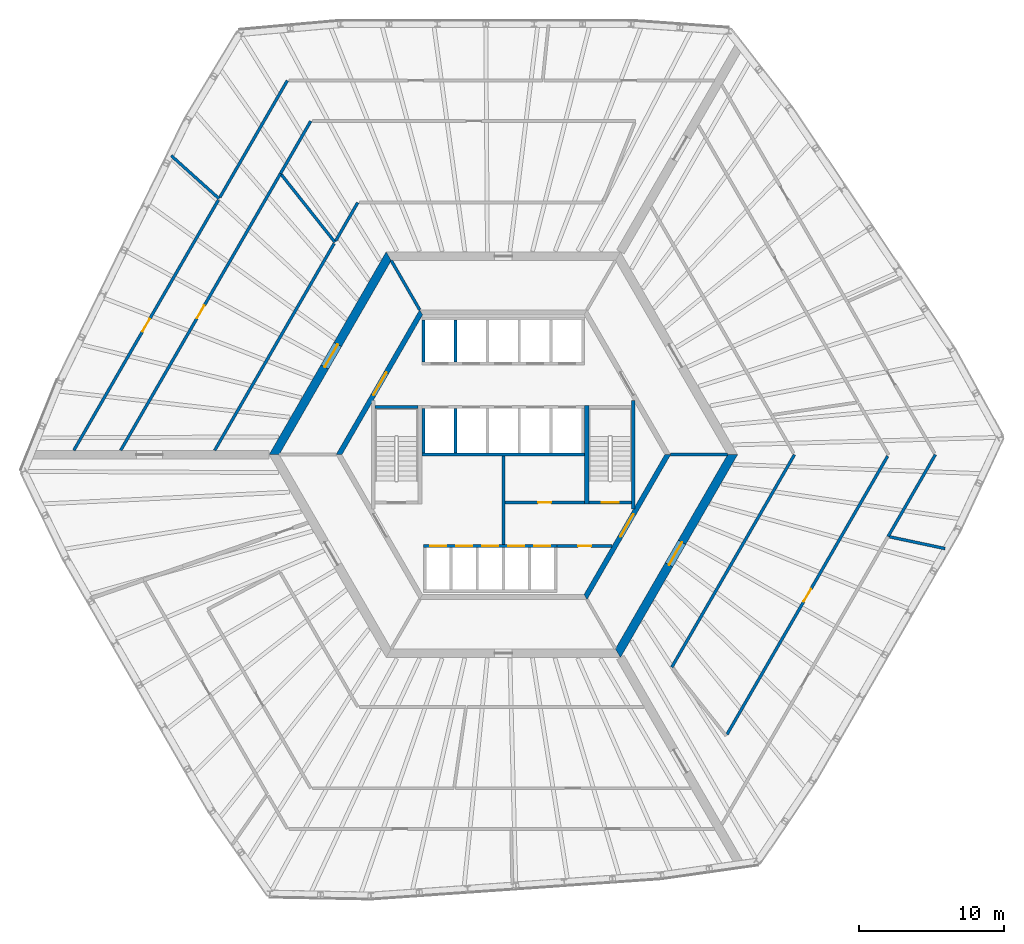
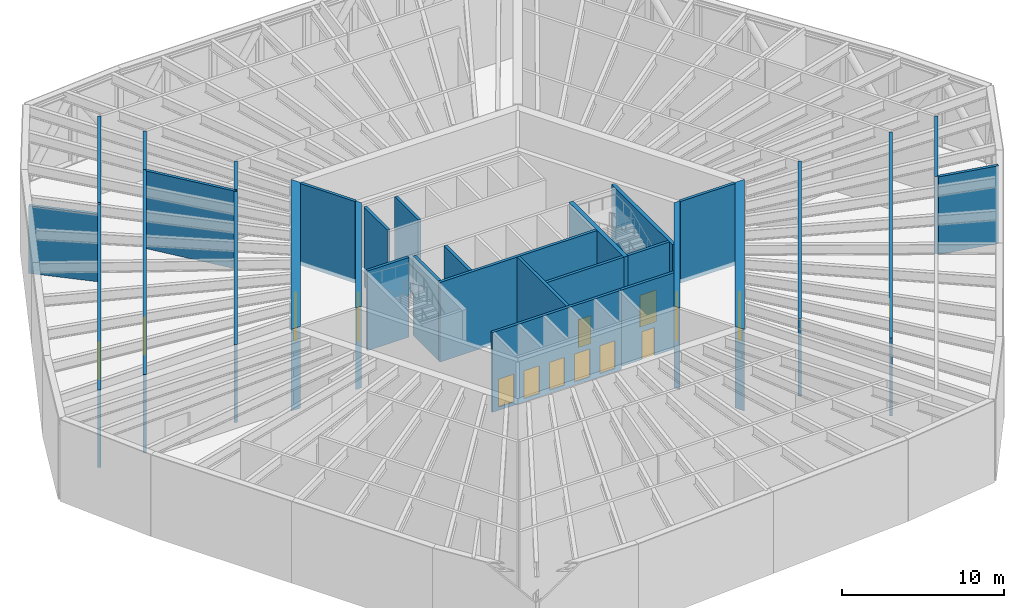
# One storey, part 7 of 11: 31 walls, 15 doors, 15 openings.
"""IFC4 building model written with IfcOpenShell, lengths in metres."""

from ifc_helpers import new_model, si_unit, direction, frame, frame_2d, origin, place, context, subcontext, project, spatial, polyline, rectangle, outline, extrude, material, layer, layer_set, type_object, element, fill, save


model = new_model("IFC4")

# Units and contexts
model_context = context("Model", 3, precision=1e-05, world=origin(), true_north=direction((0.0, 1.0)))
body_context = subcontext(model_context, "Body", "Model", "MODEL_VIEW")
ifc_project = project(units=[si_unit("LENGTHUNIT", "METRE"), si_unit("AREAUNIT", "SQUARE_METRE"), si_unit("VOLUMEUNIT", "CUBIC_METRE"), si_unit("PLANEANGLEUNIT", "RADIAN"), si_unit("MASSUNIT", "GRAM", prefix="KILO")], contexts=[model_context])

# Site, building, storey
site_placement = place(None, origin())
site = spatial("IfcSite", under=ifc_project, at=site_placement, CompositionType="ELEMENT")
building_placement = place(site_placement, origin())
building = spatial("IfcBuilding", under=site, at=building_placement, Name="Tarnside Tower", CompositionType="ELEMENT")
storey_placement = place(building_placement, frame((0.0, 0.0, 31.5)))
storey = spatial("IfcBuildingStorey", under=building, at=storey_placement, Name="L05", CompositionType="ELEMENT", Elevation=31.5)

# Wall, opening, door
ifc_material_1 = material(Name="Concrete C50/60", Category="concrete")
ifc_layer_1 = layer(ifc_material_1, 0.35009765625)
ifc_layer_set_1 = layer_set([ifc_layer_1], Name="Core block wall 350 C50/60")
wall_type_1 = type_object("IfcWallType", Name="Core block wall 350 C50/60", PredefinedType="SHEAR", material=ifc_layer_set_1)
wall_1_placement = place(storey_placement, frame((-5.672607421875, 9.824951171875, -0.300048828125), z_axis=(0.0, 0.0, 1.0), x_axis=(-0.499995046907, -0.866028263435, 0.0)))
wall_1 = element("IfcWall", 1, at=wall_1_placement, inside=storey, type_object=wall_type_1, Name="L05 core block wall face 2", PredefinedType="SHEAR", context=body_context, shape_type="SweptSolid", body=[
    extrude(outline(polyline([(-0.10107421875, -0.175048828125), (11.44580078125, -0.175048828125), (11.24365234375, 0.175048828125), (0.10107421875, 0.175048828125), (-0.10107421875, -0.175048828125)])), origin(), (0.0, 0.0, 1.0), 6.150146484375),
])
opening_1_placement = place(wall_1_placement, frame((4.80126953125, 0.0, 0.300048828125)))
opening_1 = element("IfcOpeningElement", 2, at=opening_1_placement, cuts=wall_1, Name="Opening CD-LOB", PredefinedType="OPENING", context=body_context, shape_type="SweptSolid", body=[
    extrude(rectangle(XDim=1.800048828125, YDim=2.39990234375, at=frame_2d((0.89990234375, 1.199951171875))), frame((0.0, 0.18505859375, 0.0), z_axis=(0.0, -1.0, 0.0), x_axis=(1.0, 0.0, 0.0)), (0.0, 0.0, 1.0), 0.3701171875),
])
ifc_material_2 = material(Name="Steel fire door", Category="steel")
door_type_1 = type_object("IfcDoorType", Name="Lobby double door FD30S 1800x2400", OperationType="NOTDEFINED", PredefinedType="DOOR", material=ifc_material_2)
door_1_placement = place(opening_1_placement, origin())
door_1 = element("IfcDoor", 3, at=door_1_placement, inside=storey, type_object=door_type_1, Name="L05 lobby block door P1", OperationType="DOUBLE_DOOR_SINGLE_SWING", OverallHeight=2.39990234375, OverallWidth=1.800048828125, PredefinedType="DOOR", context=body_context, shape_type="SweptSolid", body=[
    extrude(rectangle(XDim=1.800048828125, YDim=2.39990234375, at=frame_2d((0.89990234375, 1.199951171875))), frame((0.0, 0.02490234375, 0.0), z_axis=(0.0, -1.0, 0.0), x_axis=(1.0, 0.0, 0.0)), (0.0, 0.0, 1.0), 0.050048828125),
])
fill(opening_1, door_1)

wall_2_placement = place(storey_placement, frame((5.672607421875, -9.824951171875, -0.300048828125), z_axis=(0.0, 0.0, 1.0), x_axis=(0.499995046907, 0.866028263435, 0.0)))
wall_2 = element("IfcWall", 4, at=wall_2_placement, inside=storey, type_object=wall_type_1, Name="L05 core block wall face 5", PredefinedType="SHEAR", context=body_context, shape_type="SweptSolid", body=[
    extrude(outline(polyline([(-0.10107421875, -0.175048828125), (11.44580078125, -0.175048828125), (11.24365234375, 0.175048828125), (0.10107421875, 0.175048828125), (-0.10107421875, -0.175048828125)])), origin(), (0.0, 0.0, 1.0), 6.150146484375),
])
opening_2_placement = place(wall_2_placement, frame((4.80126953125, 0.0, 0.300048828125)))
opening_2 = element("IfcOpeningElement", 5, at=opening_2_placement, cuts=wall_2, Name="Opening CD-FFL", PredefinedType="OPENING", context=body_context, shape_type="SweptSolid", body=[
    extrude(rectangle(XDim=1.800048828125, YDim=2.39990234375, at=frame_2d((0.89990234375, 1.199951171875))), frame((0.0, 0.18505859375, 0.0), z_axis=(0.0, -1.0, 0.0), x_axis=(1.0, 0.0, 0.0)), (0.0, 0.0, 1.0), 0.3701171875),
])
door_type_2 = type_object("IfcDoorType", Name="Firefighting lobby double door FD60S 1800x2400", OperationType="NOTDEFINED", PredefinedType="DOOR", material=ifc_material_2)
door_2_placement = place(opening_2_placement, origin())
door_2 = element("IfcDoor", 6, at=door_2_placement, inside=storey, type_object=door_type_2, Name="L05 lobby block door P4", OperationType="DOUBLE_DOOR_SINGLE_SWING", OverallHeight=2.39990234375, OverallWidth=1.800048828125, PredefinedType="DOOR", context=body_context, shape_type="SweptSolid", body=[
    extrude(rectangle(XDim=1.800048828125, YDim=2.39990234375, at=frame_2d((0.89990234375, 1.199951171875))), frame((0.0, 0.02490234375, 0.0), z_axis=(0.0, -1.0, 0.0), x_axis=(1.0, 0.0, 0.0)), (0.0, 0.0, 1.0), 0.050048828125),
])
fill(opening_2, door_2)

ifc_material_3 = material(Name="Concrete C40/50", Category="concrete")
ifc_layer_2 = layer(ifc_material_3, 0.199951171875)
ifc_layer_set_2 = layer_set([ifc_layer_2], Name="Core room partition 200 C40/50")
wall_type_2 = type_object("IfcWallType", Name="Core room partition 200 C40/50", PredefinedType="PARTITIONING", material=ifc_layer_set_2)
wall_3_placement = place(storey_placement, frame((0.10009765625, -3.300048828125, 0.0), z_axis=(0.0, 0.0, 1.0), x_axis=(1.0, 0.0, 0.0)))
wall_3 = element("IfcWall", 7, at=wall_3_placement, inside=storey, type_object=wall_type_2, Name="L05 core partition R3S1", PredefinedType="PARTITIONING", context=body_context, shape_type="SweptSolid", body=[
    extrude(rectangle(XDim=5.5, YDim=0.199951171875, at=frame_2d((2.75, 0.0))), origin(), (0.0, 0.0, 1.0), 5.75),
])
opening_3_placement = place(wall_3_placement, frame((2.300048828125, 0.0, 0.0)))
opening_3 = element("IfcOpeningElement", 8, at=opening_3_placement, cuts=wall_3, Name="Opening CD-room", PredefinedType="OPENING", context=body_context, shape_type="SweptSolid", body=[
    extrude(rectangle(XDim=0.89990234375, YDim=2.10009765625, at=frame_2d((0.449951171875, 1.050048828125))), frame((0.0, 0.10986328125, 0.0), z_axis=(0.0, -1.0, 0.0), x_axis=(1.0, 0.0, 0.0)), (0.0, 0.0, 1.0), 0.219970703125),
])
door_type_3 = type_object("IfcDoorType", Name="Room door FD60 900x2100", OperationType="NOTDEFINED", PredefinedType="DOOR", material=ifc_material_2)
door_3_placement = place(opening_3_placement, origin())
door_3 = element("IfcDoor", 9, at=door_3_placement, inside=storey, type_object=door_type_3, Name="L05 core room door SR1", OperationType="SINGLE_SWING_LEFT", OverallHeight=2.10009765625, OverallWidth=0.89990234375, PredefinedType="DOOR", context=body_context, shape_type="SweptSolid", body=[
    extrude(rectangle(XDim=0.89990234375, YDim=2.10009765625, at=frame_2d((0.449951171875, 1.050048828125))), frame((0.0, 0.02490234375, 0.0), z_axis=(0.0, -1.0, 0.0), x_axis=(1.0, 0.0, 0.0)), (0.0, 0.0, 1.0), 0.050048828125),
])
fill(opening_3, door_3)

# Wall
wall_4_placement = place(storey_placement, frame((0.0, -6.199951171875, 0.0), z_axis=(0.0, 0.0, 1.0), x_axis=(0.0, 1.0, 0.0)))
element("IfcWall", 10, at=wall_4_placement, inside=storey, type_object=wall_type_2, Name="L05 core partition X0", PredefinedType="PARTITIONING", context=body_context, shape_type="SweptSolid", body=[
    extrude(rectangle(XDim=6.099853515625, YDim=0.199951171875, at=frame_2d((3.0498046875, 0.0))), origin(), (0.0, 0.0, 1.0), 5.75),
])

# Wall, opening, door
wall_5_placement = place(storey_placement, frame((3.699951171875, -6.300048828125, 0.0), z_axis=(0.0, 0.0, 1.0), x_axis=(1.0, 0.0, 0.0)))
wall_5 = element("IfcWall", 11, at=wall_5_placement, inside=storey, type_object=wall_type_2, Name="L05 core partition R4X", PredefinedType="PARTITIONING", context=body_context, shape_type="SweptSolid", body=[
    extrude(rectangle(XDim=3.8056640625, YDim=0.199951171875, at=frame_2d((1.90283203125, 0.0))), origin(), (0.0, 0.0, 1.0), 5.75),
])
opening_4_placement = place(wall_5_placement, frame((1.452880859375, 0.0, 0.0)))
opening_4 = element("IfcOpeningElement", 12, at=opening_4_placement, cuts=wall_5, Name="Opening CD-room", PredefinedType="OPENING", context=body_context, shape_type="SweptSolid", body=[
    extrude(rectangle(XDim=0.89990234375, YDim=2.10009765625, at=frame_2d((0.449951171875, 1.050048828125))), frame((0.0, 0.10986328125, 0.0), z_axis=(0.0, -1.0, 0.0), x_axis=(1.0, 0.0, 0.0)), (0.0, 0.0, 1.0), 0.219970703125),
])
door_4_placement = place(opening_4_placement, origin())
door_4 = element("IfcDoor", 13, at=door_4_placement, inside=storey, type_object=door_type_3, Name="L05 core room door RX", OperationType="SINGLE_SWING_LEFT", OverallHeight=2.10009765625, OverallWidth=0.89990234375, PredefinedType="DOOR", context=body_context, shape_type="SweptSolid", body=[
    extrude(rectangle(XDim=0.89990234375, YDim=2.10009765625, at=frame_2d((0.449951171875, 1.050048828125))), frame((0.0, 0.02490234375, 0.0), z_axis=(0.0, -1.0, 0.0), x_axis=(1.0, 0.0, 0.0)), (0.0, 0.0, 1.0), 0.050048828125),
])
fill(opening_4, door_4)

ifc_material_4 = material(Name="Concrete C80/95", Category="concrete")
ifc_layer_3 = layer(ifc_material_4, 0.60009765625)
ifc_layer_set_3 = layer_set([ifc_layer_3], Name="Core wall Z1 600 C80/95")
wall_type_3 = type_object("IfcWallType", Name="Core wall Z1 600 C80/95", PredefinedType="SHEAR", material=ifc_layer_set_3)
wall_6_placement = place(storey_placement, frame((-7.90966796875, 13.699951171875, -0.300048828125), z_axis=(0.0, 0.0, 1.0), x_axis=(-0.499999880136, -0.866025472988, 0.0)))
wall_6 = element("IfcWall", 14, at=wall_6_placement, inside=storey, type_object=wall_type_3, Name="L05 core wall face 2", PredefinedType="SHEAR", context=body_context, shape_type="SweptSolid", body=[
    extrude(outline(polyline([(-0.17333984375, -0.300048828125), (15.99267578125, -0.300048828125), (15.64599609375, 0.300048828125), (0.17333984375, 0.300048828125), (-0.17333984375, -0.300048828125)])), origin(), (0.0, 0.0, 1.0), 6.150146484375),
])
opening_5_placement = place(wall_6_placement, frame((7.03857421875, 0.0, 0.300048828125)))
opening_5 = element("IfcOpeningElement", 15, at=opening_5_placement, cuts=wall_6, Name="Opening CD-LOB", PredefinedType="OPENING", context=body_context, shape_type="SweptSolid", body=[
    extrude(rectangle(XDim=1.800048828125, YDim=2.39990234375, at=frame_2d((0.89990234375, 1.199951171875))), frame((0.0, 0.31005859375, 0.0), z_axis=(0.0, -1.0, 0.0), x_axis=(1.0, 0.0, 0.0)), (0.0, 0.0, 1.0), 0.6201171875),
])
door_5_placement = place(opening_5_placement, origin())
door_5 = element("IfcDoor", 16, at=door_5_placement, inside=storey, type_object=door_type_1, Name="L05 core door P1", OperationType="DOUBLE_DOOR_SINGLE_SWING", OverallHeight=2.39990234375, OverallWidth=1.800048828125, PredefinedType="DOOR", context=body_context, shape_type="SweptSolid", body=[
    extrude(rectangle(XDim=1.800048828125, YDim=2.39990234375, at=frame_2d((0.89990234375, 1.199951171875))), frame((0.0, 0.02490234375, 0.0), z_axis=(0.0, -1.0, 0.0), x_axis=(1.0, 0.0, 0.0)), (0.0, 0.0, 1.0), 0.050048828125),
])
fill(opening_5, door_5)

wall_7_placement = place(storey_placement, frame((7.90966796875, -13.699951171875, -0.300048828125), z_axis=(0.0, 0.0, 1.0), x_axis=(0.499999880136, 0.866025472988, 0.0)))
wall_7 = element("IfcWall", 17, at=wall_7_placement, inside=storey, type_object=wall_type_3, Name="L05 core wall face 5", PredefinedType="SHEAR", context=body_context, shape_type="SweptSolid", body=[
    extrude(outline(polyline([(-0.17333984375, -0.300048828125), (15.99267578125, -0.300048828125), (15.64599609375, 0.300048828125), (0.17333984375, 0.300048828125), (-0.17333984375, -0.300048828125)])), origin(), (0.0, 0.0, 1.0), 6.150146484375),
])
opening_6_placement = place(wall_7_placement, frame((7.03857421875, 0.0, 0.300048828125)))
opening_6 = element("IfcOpeningElement", 18, at=opening_6_placement, cuts=wall_7, Name="Opening CD-FFL", PredefinedType="OPENING", context=body_context, shape_type="SweptSolid", body=[
    extrude(rectangle(XDim=1.800048828125, YDim=2.39990234375, at=frame_2d((0.89990234375, 1.199951171875))), frame((0.0, 0.31005859375, 0.0), z_axis=(0.0, -1.0, 0.0), x_axis=(1.0, 0.0, 0.0)), (0.0, 0.0, 1.0), 0.6201171875),
])
door_6_placement = place(opening_6_placement, origin())
door_6 = element("IfcDoor", 19, at=door_6_placement, inside=storey, type_object=door_type_2, Name="L05 core door P4", OperationType="DOUBLE_DOOR_SINGLE_SWING", OverallHeight=2.39990234375, OverallWidth=1.800048828125, PredefinedType="DOOR", context=body_context, shape_type="SweptSolid", body=[
    extrude(rectangle(XDim=1.800048828125, YDim=2.39990234375, at=frame_2d((0.89990234375, 1.199951171875))), frame((0.0, 0.02490234375, 0.0), z_axis=(0.0, -1.0, 0.0), x_axis=(1.0, 0.0, 0.0)), (0.0, 0.0, 1.0), 0.050048828125),
])
fill(opening_6, door_6)

# Walls
ifc_layer_4 = layer(ifc_material_3, 0.199951171875)
ifc_layer_set_4 = layer_set([ifc_layer_4], Name="Lift shaft wall 200 C40/50")
wall_type_4 = type_object("IfcWallType", Name="Lift shaft wall 200 C40/50", PredefinedType="SHEAR", material=ifc_layer_set_4)
for number, where, z_axis, x_axis, name in (
    (20, (-5.5, 6.39990234375, -0.25), (0.0, 0.0, 1.0), (0.0, 1.0, 0.0), "L05 lift shaft partition R11"),
    (21, (-3.300048828125, 6.39990234375, -0.25), (0.0, 0.0, 1.0), (0.0, 1.0, 0.0), "L05 lift shaft partition R12"),
):
    element("IfcWall", number, at=place(storey_placement, frame(where, z_axis=z_axis, x_axis=x_axis)), inside=storey, type_object=wall_type_4, Name=name, PredefinedType="SHEAR", context=body_context, shape_type="SweptSolid", body=[
        extrude(rectangle(XDim=2.900146484375, YDim=0.199951171875, at=frame_2d((1.4501953125, 0.0))), origin(), (0.0, 0.0, 1.0), 6.0),
    ])
wall_8_placement = place(storey_placement, frame((-5.60009765625, 0.0, -0.25), z_axis=(0.0, 0.0, 1.0), x_axis=(1.0, 0.0, 0.0)))
element("IfcWall", 22, at=wall_8_placement, inside=storey, type_object=wall_type_4, Name="L05 lift shaft back wall R2", PredefinedType="SHEAR", context=body_context, shape_type="SweptSolid", body=[
    extrude(rectangle(XDim=11.2001953125, YDim=0.199951171875, at=frame_2d((5.60009765625, 0.0))), origin(), (0.0, 0.0, 1.0), 6.0),
])
for number, where, z_axis, x_axis, name in (
    (23, (-5.5, 0.10009765625, -0.25), (0.0, 0.0, 1.0), (0.0, 1.0, 0.0), "L05 lift shaft partition R21"),
    (24, (-3.300048828125, 0.10009765625, -0.25), (0.0, 0.0, 1.0), (0.0, 1.0, 0.0), "L05 lift shaft partition R22"),
):
    element("IfcWall", number, at=place(storey_placement, frame(where, z_axis=z_axis, x_axis=x_axis)), inside=storey, type_object=wall_type_4, Name=name, PredefinedType="SHEAR", context=body_context, shape_type="SweptSolid", body=[
        extrude(rectangle(XDim=3.099853515625, YDim=0.199951171875, at=frame_2d((1.5498046875, 0.0))), origin(), (0.0, 0.0, 1.0), 6.0),
    ])

# Wall, openings, doors
wall_9_placement = place(storey_placement, frame((-5.5, -6.300048828125, -0.25), z_axis=(0.0, 0.0, 1.0), x_axis=(1.0, 0.0, 0.0)))
wall_9 = element("IfcWall", 25, at=wall_9_placement, inside=storey, type_object=wall_type_4, Name="L05 lift shaft front wall R4", PredefinedType="SHEAR", context=body_context, shape_type="SweptSolid", body=[
    extrude(rectangle(XDim=9.199951171875, YDim=0.199951171875, at=frame_2d((4.60009765625, 0.0))), origin(), (0.0, 0.0, 1.0), 6.0),
])
opening_7_placement = place(wall_9_placement, frame((0.449951171875, 0.0, 0.25)))
opening_7 = element("IfcOpeningElement", 26, at=opening_7_placement, cuts=wall_9, Name="Opening LDF", PredefinedType="OPENING", context=body_context, shape_type="SweptSolid", body=[
    extrude(rectangle(XDim=1.10009765625, YDim=2.10009765625, at=frame_2d((0.550048828125, 1.050048828125))), frame((0.0, 0.10986328125, 0.0), z_axis=(0.0, -1.0, 0.0), x_axis=(1.0, 0.0, 0.0)), (0.0, 0.0, 1.0), 0.219970703125),
])
opening_8_placement = place(wall_9_placement, frame((2.25, 0.0, 0.25)))
opening_8 = element("IfcOpeningElement", 27, at=opening_8_placement, cuts=wall_9, Name="Opening LDF", PredefinedType="OPENING", context=body_context, shape_type="SweptSolid", body=[
    extrude(rectangle(XDim=1.10009765625, YDim=2.10009765625, at=frame_2d((0.550048828125, 1.050048828125))), frame((0.0, 0.10986328125, 0.0), z_axis=(0.0, -1.0, 0.0), x_axis=(1.0, 0.0, 0.0)), (0.0, 0.0, 1.0), 0.219970703125),
])
opening_9_placement = place(wall_9_placement, frame((4.050048828125, 0.0, 0.25)))
opening_9 = element("IfcOpeningElement", 28, at=opening_9_placement, cuts=wall_9, Name="Opening LDF", PredefinedType="OPENING", context=body_context, shape_type="SweptSolid", body=[
    extrude(rectangle(XDim=1.10009765625, YDim=2.10009765625, at=frame_2d((0.550048828125, 1.050048828125))), frame((0.0, 0.10986328125, 0.0), z_axis=(0.0, -1.0, 0.0), x_axis=(1.0, 0.0, 0.0)), (0.0, 0.0, 1.0), 0.219970703125),
])
opening_10_placement = place(wall_9_placement, frame((5.85009765625, 0.0, 0.25)))
opening_10 = element("IfcOpeningElement", 29, at=opening_10_placement, cuts=wall_9, Name="Opening LDF", PredefinedType="OPENING", context=body_context, shape_type="SweptSolid", body=[
    extrude(rectangle(XDim=1.10009765625, YDim=2.10009765625, at=frame_2d((0.550048828125, 1.050048828125))), frame((0.0, 0.10986328125, 0.0), z_axis=(0.0, -1.0, 0.0), x_axis=(1.0, 0.0, 0.0)), (0.0, 0.0, 1.0), 0.219970703125),
])
opening_11_placement = place(wall_9_placement, frame((7.64990234375, 0.0, 0.25)))
opening_11 = element("IfcOpeningElement", 30, at=opening_11_placement, cuts=wall_9, Name="Opening LDF", PredefinedType="OPENING", context=body_context, shape_type="SweptSolid", body=[
    extrude(rectangle(XDim=1.10009765625, YDim=2.10009765625, at=frame_2d((0.550048828125, 1.050048828125))), frame((0.0, 0.10986328125, 0.0), z_axis=(0.0, -1.0, 0.0), x_axis=(1.0, 0.0, 0.0)), (0.0, 0.0, 1.0), 0.219970703125),
])
ifc_material_5 = material(Name="Stainless steel", Category="steel")
door_type_4 = type_object("IfcDoorType", Name="Lift landing door 1100x2100 EI 120", OperationType="NOTDEFINED", PredefinedType="DOOR", material=ifc_material_5)
door_7_placement = place(opening_7_placement, origin())
door_7 = element("IfcDoor", 31, at=door_7_placement, inside=storey, type_object=door_type_4, Name="Firefighting lift 1 landing door L05", OperationType="SLIDING_TO_LEFT", OverallHeight=2.10009765625, OverallWidth=1.10009765625, PredefinedType="DOOR", context=body_context, shape_type="SweptSolid", body=[
    extrude(rectangle(XDim=1.10009765625, YDim=2.10009765625, at=frame_2d((0.550048828125, 1.050048828125))), frame((0.0, 0.02490234375, 0.0), z_axis=(0.0, -1.0, 0.0), x_axis=(1.0, 0.0, 0.0)), (0.0, 0.0, 1.0), 0.050048828125),
])
fill(opening_7, door_7)
door_8_placement = place(opening_8_placement, origin())
door_8 = element("IfcDoor", 32, at=door_8_placement, inside=storey, type_object=door_type_4, Name="Firefighting lift 2 landing door L05", OperationType="SLIDING_TO_LEFT", OverallHeight=2.10009765625, OverallWidth=1.10009765625, PredefinedType="DOOR", context=body_context, shape_type="SweptSolid", body=[
    extrude(rectangle(XDim=1.10009765625, YDim=2.10009765625, at=frame_2d((0.550048828125, 1.050048828125))), frame((0.0, 0.02490234375, 0.0), z_axis=(0.0, -1.0, 0.0), x_axis=(1.0, 0.0, 0.0)), (0.0, 0.0, 1.0), 0.050048828125),
])
fill(opening_8, door_8)
door_9_placement = place(opening_9_placement, origin())
door_9 = element("IfcDoor", 33, at=door_9_placement, inside=storey, type_object=door_type_4, Name="Firefighting lift 3 landing door L05", OperationType="SLIDING_TO_LEFT", OverallHeight=2.10009765625, OverallWidth=1.10009765625, PredefinedType="DOOR", context=body_context, shape_type="SweptSolid", body=[
    extrude(rectangle(XDim=1.10009765625, YDim=2.10009765625, at=frame_2d((0.550048828125, 1.050048828125))), frame((0.0, 0.02490234375, 0.0), z_axis=(0.0, -1.0, 0.0), x_axis=(1.0, 0.0, 0.0)), (0.0, 0.0, 1.0), 0.050048828125),
])
fill(opening_9, door_9)
door_10_placement = place(opening_10_placement, origin())
door_10 = element("IfcDoor", 34, at=door_10_placement, inside=storey, type_object=door_type_4, Name="Firefighting lift 4 landing door L05", OperationType="SLIDING_TO_LEFT", OverallHeight=2.10009765625, OverallWidth=1.10009765625, PredefinedType="DOOR", context=body_context, shape_type="SweptSolid", body=[
    extrude(rectangle(XDim=1.10009765625, YDim=2.10009765625, at=frame_2d((0.550048828125, 1.050048828125))), frame((0.0, 0.02490234375, 0.0), z_axis=(0.0, -1.0, 0.0), x_axis=(1.0, 0.0, 0.0)), (0.0, 0.0, 1.0), 0.050048828125),
])
fill(opening_10, door_10)
door_11_placement = place(opening_11_placement, origin())
door_11 = element("IfcDoor", 35, at=door_11_placement, inside=storey, type_object=door_type_4, Name="Firefighting lift 5 landing door L05", OperationType="SLIDING_TO_LEFT", OverallHeight=2.10009765625, OverallWidth=1.10009765625, PredefinedType="DOOR", context=body_context, shape_type="SweptSolid", body=[
    extrude(rectangle(XDim=1.10009765625, YDim=2.10009765625, at=frame_2d((0.550048828125, 1.050048828125))), frame((0.0, 0.02490234375, 0.0), z_axis=(0.0, -1.0, 0.0), x_axis=(1.0, 0.0, 0.0)), (0.0, 0.0, 1.0), 0.050048828125),
])
fill(opening_11, door_11)

# Walls
wall_10_placement = place(storey_placement, frame((11.547119140625, 0.0, -0.300048828125), z_axis=(0.0, 0.0, 1.0), x_axis=(1.0, 0.0, 0.0)))
element("IfcWall", 36, at=wall_10_placement, inside=storey, type_object=wall_type_4, Name="L05 core partition AR0", PredefinedType="SHEAR", context=body_context, shape_type="SweptSolid", body=[
    extrude(rectangle(XDim=3.92578125, YDim=0.199951171875, at=frame_2d((1.962890625, 0.0))), origin(), (0.0, 0.0, 1.0), 6.150146484375),
])
wall_11_placement = place(storey_placement, frame((-5.7734375, 10.0, -0.300048828125), z_axis=(0.0, 0.0, 1.0), x_axis=(-0.500038251005, 0.86600331843, 0.0)))
element("IfcWall", 37, at=wall_11_placement, inside=storey, type_object=wall_type_4, Name="L05 core partition AR120", PredefinedType="SHEAR", context=body_context, shape_type="SweptSolid", body=[
    extrude(rectangle(XDim=3.926025390625, YDim=0.199951171875, at=frame_2d((1.962890625, 0.0))), origin(), (0.0, 0.0, 1.0), 6.150146484375),
])

# Wall, opening, door
wall_12_placement = place(storey_placement, frame((5.89990234375, -3.300048828125, -0.25), z_axis=(0.0, 0.0, 1.0), x_axis=(1.0, 0.0, 0.0)))
wall_12 = element("IfcWall", 38, at=wall_12_placement, inside=storey, type_object=wall_type_4, Name="L05 stair 1 enclosure cap wall s", PredefinedType="SHEAR", context=body_context, shape_type="SweptSolid", body=[
    extrude(rectangle(XDim=2.9501953125, YDim=0.199951171875, at=frame_2d((1.47509765625, 0.0))), origin(), (0.0, 0.0, 1.0), 6.0),
])
opening_12_placement = place(wall_12_placement, frame((0.875, 0.0, 0.25)))
opening_12 = element("IfcOpeningElement", 39, at=opening_12_placement, cuts=wall_12, Name="Opening CD-STR", PredefinedType="OPENING", context=body_context, shape_type="SweptSolid", body=[
    extrude(rectangle(XDim=1.199951171875, YDim=2.39990234375, at=frame_2d((0.60009765625, 1.199951171875))), frame((0.0, 0.10986328125, 0.0), z_axis=(0.0, -1.0, 0.0), x_axis=(1.0, 0.0, 0.0)), (0.0, 0.0, 1.0), 0.219970703125),
])
door_type_5 = type_object("IfcDoorType", Name="Stair door FD60S 1200x2400", OperationType="NOTDEFINED", PredefinedType="DOOR", material=ifc_material_2)
door_12_placement = place(opening_12_placement, origin())
door_12 = element("IfcDoor", 40, at=door_12_placement, inside=storey, type_object=door_type_5, Name="L05 stair 1 door", OperationType="SINGLE_SWING_LEFT", OverallHeight=2.39990234375, OverallWidth=1.199951171875, PredefinedType="DOOR", context=body_context, shape_type="SweptSolid", body=[
    extrude(rectangle(XDim=1.199951171875, YDim=2.39990234375, at=frame_2d((0.60009765625, 1.199951171875))), frame((0.0, 0.02490234375, 0.0), z_axis=(0.0, -1.0, 0.0), x_axis=(1.0, 0.0, 0.0)), (0.0, 0.0, 1.0), 0.050048828125),
])
fill(opening_12, door_12)

# Walls
wall_13_placement = place(storey_placement, frame((-8.85009765625, 3.300048828125, -0.25), z_axis=(0.0, 0.0, 1.0), x_axis=(1.0, 0.0, 0.0)))
element("IfcWall", 41, at=wall_13_placement, inside=storey, type_object=wall_type_4, Name="L05 stair 2 enclosure cap wall n", PredefinedType="SHEAR", context=body_context, shape_type="SweptSolid", body=[
    extrude(rectangle(XDim=2.9501953125, YDim=0.199951171875, at=frame_2d((1.47509765625, 0.0))), origin(), (0.0, 0.0, 1.0), 6.0),
])
ifc_layer_5 = layer(ifc_material_3, 0.25)
ifc_layer_set_5 = layer_set([ifc_layer_5], Name="Stair enclosure wall 250 C40/50")
wall_type_5 = type_object("IfcWallType", Name="Stair enclosure wall 250 C40/50", PredefinedType="SHEAR", material=ifc_layer_set_5)
wall_14_placement = place(storey_placement, frame((8.97509765625, -3.7548828125, -0.25), z_axis=(0.0, 0.0, 1.0), x_axis=(0.0, 1.0, 0.0)))
element("IfcWall", 42, at=wall_14_placement, inside=storey, type_object=wall_type_5, Name="L05 stair 1 enclosure wall outer", PredefinedType="SHEAR", context=body_context, shape_type="SweptSolid", body=[
    extrude(rectangle(XDim=7.509765625, YDim=0.25, at=frame_2d((3.7548828125, 0.0))), origin(), (0.0, 0.0, 1.0), 6.0),
])
ifc_layer_6 = layer(ifc_material_3, 0.300048828125)
ifc_layer_set_6 = layer_set([ifc_layer_6], Name="Stair enclosure wall 300 C40/50")
wall_type_6 = type_object("IfcWallType", Name="Stair enclosure wall 300 C40/50", PredefinedType="SHEAR", material=ifc_layer_set_6)
wall_15_placement = place(storey_placement, frame((5.75, -3.39990234375, -0.25), z_axis=(0.0, 0.0, 1.0), x_axis=(0.0, 1.0, 0.0)))
element("IfcWall", 43, at=wall_15_placement, inside=storey, type_object=wall_type_6, Name="L05 stair 1 enclosure wall inner", PredefinedType="SHEAR", context=body_context, shape_type="SweptSolid", body=[
    extrude(rectangle(XDim=6.7998046875, YDim=0.300048828125, at=frame_2d((3.39990234375, 0.0))), origin(), (0.0, 0.0, 1.0), 6.0),
])

# Wall, opening, door
ifc_material_6 = material(Name="Concrete C32/40", Category="concrete")
ifc_layer_7 = layer(ifc_material_6, 0.199951171875)
ifc_layer_set_7 = layer_set([ifc_layer_7], Name="Wall 200 reinforced Concrete C32/40")
wall_type_7 = type_object("IfcWallType", Name="Wall 200 reinforced Concrete C32/40", PredefinedType="PARTITIONING", material=ifc_layer_set_7)
wall_16_placement = place(storey_placement, frame((-15.37890625, 19.403076171875, 0.0), z_axis=(0.0, 0.0, 1.0), x_axis=(-0.499997101594, -0.866027077174, 0.0)))
wall_16 = element("IfcWall", 44, at=wall_16_placement, inside=storey, type_object=wall_type_7, Name="Partition 000", PredefinedType="PARTITIONING", context=body_context, shape_type="SweptSolid", body=[
    extrude(rectangle(XDim=22.058349609375, YDim=0.199951171875, at=frame_2d((11.029296875, 0.0))), origin(), (0.0, 0.0, 1.0), 5.85009765625),
])
opening_13_placement = place(wall_16_placement, frame((10.529052734375, 0.0, 0.0)))
opening_13 = element("IfcOpeningElement", 45, at=opening_13_placement, cuts=wall_16, Name="Opening D1000F60", PredefinedType="OPENING", context=body_context, shape_type="SweptSolid", body=[
    extrude(rectangle(XDim=1.0, YDim=2.10009765625, at=frame_2d((0.5, 1.050048828125))), frame((0.0, 0.10986328125, 0.0), z_axis=(0.0, -1.0, 0.0), x_axis=(1.0, 0.0, 0.0)), (0.0, 0.0, 1.0), 0.219970703125),
])
ifc_material_7 = material(Name="Timber door leaf", Category="wood")
door_type_6 = type_object("IfcDoorType", Name="Door 1000 x 2100 single leaf FD60 fire door", OperationType="NOTDEFINED", PredefinedType="DOOR", material=ifc_material_7)
door_13_placement = place(opening_13_placement, origin())
door_13 = element("IfcDoor", 46, at=door_13_placement, inside=storey, type_object=door_type_6, Name="Door L05-01", OperationType="SINGLE_SWING_RIGHT", OverallHeight=2.10009765625, OverallWidth=1.0, PredefinedType="DOOR", context=body_context, shape_type="SweptSolid", body=[
    extrude(rectangle(XDim=1.0, YDim=2.10009765625, at=frame_2d((0.5, 1.050048828125))), frame((0.0, 0.02490234375, 0.0), z_axis=(0.0, -1.0, 0.0), x_axis=(1.0, 0.0, 0.0)), (0.0, 0.0, 1.0), 0.050048828125),
])
fill(opening_13, door_13)

# Wall
wall_17_placement = place(storey_placement, frame((-22.916748046875, 20.6337890625, 0.0), z_axis=(0.0, 0.0, 1.0), x_axis=(0.74319570957, -0.669074089527, 0.0)))
element("IfcWall", 47, at=wall_17_placement, inside=storey, type_object=wall_type_7, Name="Partition 003", PredefinedType="PARTITIONING", context=body_context, shape_type="SweptSolid", body=[
    extrude(rectangle(XDim=4.43994140625, YDim=0.199951171875, at=frame_2d((2.219970703125, 0.0))), origin(), (0.0, 0.0, 1.0), 5.087890625),
])

# Wall, opening, door
wall_18_placement = place(storey_placement, frame((-29.64111328125, 0.300048828125, 0.0), z_axis=(0.0, 0.0, 1.0), x_axis=(0.49998168022, 0.866035980456, 0.0)))
wall_18 = element("IfcWall", 48, at=wall_18_placement, inside=storey, type_object=wall_type_7, Name="Partition 006", PredefinedType="PARTITIONING", context=body_context, shape_type="SweptSolid", body=[
    extrude(rectangle(XDim=19.946533203125, YDim=0.199951171875, at=frame_2d((9.97314453125, 0.0))), origin(), (0.0, 0.0, 1.0), 5.85009765625),
])
opening_14_placement = place(wall_18_placement, frame((9.473388671875, 0.0, 0.0)))
opening_14 = element("IfcOpeningElement", 49, at=opening_14_placement, cuts=wall_18, Name="Opening D1000F60", PredefinedType="OPENING", context=body_context, shape_type="SweptSolid", body=[
    extrude(rectangle(XDim=1.0, YDim=2.10009765625, at=frame_2d((0.5, 1.050048828125))), frame((0.0, 0.10986328125, 0.0), z_axis=(0.0, -1.0, 0.0), x_axis=(1.0, 0.0, 0.0)), (0.0, 0.0, 1.0), 0.219970703125),
])
door_14_placement = place(opening_14_placement, origin())
door_14 = element("IfcDoor", 50, at=door_14_placement, inside=storey, type_object=door_type_6, Name="Door L05-03", OperationType="SINGLE_SWING_RIGHT", OverallHeight=2.10009765625, OverallWidth=1.0, PredefinedType="DOOR", context=body_context, shape_type="SweptSolid", body=[
    extrude(rectangle(XDim=1.0, YDim=2.10009765625, at=frame_2d((0.5, 1.050048828125))), frame((0.0, 0.02490234375, 0.0), z_axis=(0.0, -1.0, 0.0), x_axis=(1.0, 0.0, 0.0)), (0.0, 0.0, 1.0), 0.050048828125),
])
fill(opening_14, door_14)

# Walls
wall_19_placement = place(storey_placement, frame((-15.37890625, 19.403076171875, 0.0), z_axis=(0.0, 0.0, 1.0), x_axis=(0.499936677724, 0.866061959831, 0.0)))
element("IfcWall", 51, at=wall_19_placement, inside=storey, type_object=wall_type_7, Name="Partition 011", PredefinedType="PARTITIONING", context=body_context, shape_type="SweptSolid", body=[
    extrude(rectangle(XDim=4.17626953125, YDim=0.199951171875, at=frame_2d((2.088134765625, 0.0))), origin(), (0.0, 0.0, 1.0), 5.85009765625),
])
wall_20_placement = place(storey_placement, frame((-15.312255859375, 19.318603515625, 0.0), z_axis=(0.0, 0.0, 1.0), x_axis=(0.62121364233, -0.7836412512, 0.0)))
element("IfcWall", 52, at=wall_20_placement, inside=storey, type_object=wall_type_7, Name="Partition 012", PredefinedType="PARTITIONING", context=body_context, shape_type="SweptSolid", body=[
    extrude(rectangle(XDim=5.937255859375, YDim=0.199951171875, at=frame_2d((2.96875, 0.0))), origin(), (0.0, 0.0, 1.0), 5.85009765625),
])
wall_21_placement = place(storey_placement, frame((-14.906982421875, 25.820068359375, 0.0), z_axis=(0.0, 0.0, 1.0), x_axis=(-0.500042271362, -0.866000997026, 0.0)))
element("IfcWall", 53, at=wall_21_placement, inside=storey, type_object=wall_type_7, Name="Partition 014", PredefinedType="PARTITIONING", context=body_context, shape_type="SweptSolid", body=[
    extrude(rectangle(XDim=9.317138671875, YDim=0.199951171875, at=frame_2d((4.65869140625, 0.0))), origin(), (0.0, 0.0, 1.0), 5.85009765625),
])
wall_22_placement = place(storey_placement, frame((-11.677734375, 14.57275390625, 0.0), z_axis=(0.0, 0.0, 1.0), x_axis=(-0.500039172404, -0.866002786405, 0.0)))
element("IfcWall", 54, at=wall_22_placement, inside=storey, type_object=wall_type_7, Name="Partition 018", PredefinedType="PARTITIONING", context=body_context, shape_type="SweptSolid", body=[
    extrude(rectangle(XDim=16.481201171875, YDim=0.199951171875, at=frame_2d((8.24072265625, 0.0))), origin(), (0.0, 0.0, 1.0), 5.85009765625),
])
wall_23_placement = place(storey_placement, frame((-10.0458984375, 17.39990234375, 0.0), z_axis=(0.0, 0.0, 1.0), x_axis=(-0.499928067852, -0.866066929846, 0.0)))
element("IfcWall", 55, at=wall_23_placement, inside=storey, type_object=wall_type_7, Name="Partition 020", PredefinedType="PARTITIONING", context=body_context, shape_type="SweptSolid", body=[
    extrude(rectangle(XDim=3.04931640625, YDim=0.199951171875, at=frame_2d((1.524658203125, 0.0))), origin(), (0.0, 0.0, 1.0), 5.85009765625),
])
wall_24_placement = place(storey_placement, frame((11.6240234375, -14.666015625, 0.0), z_axis=(0.0, 0.0, 1.0), x_axis=(0.500026107117, 0.866010330309, 0.0)))
element("IfcWall", 56, at=wall_24_placement, inside=storey, type_object=wall_type_7, Name="Partition 030", PredefinedType="PARTITIONING", context=body_context, shape_type="SweptSolid", body=[
    extrude(rectangle(XDim=16.93505859375, YDim=0.199951171875, at=frame_2d((8.467529296875, 0.0))), origin(), (0.0, 0.0, 1.0), 5.85009765625),
])
wall_25_placement = place(storey_placement, frame((26.554931640625, -5.64501953125, 0.0), z_axis=(0.0, 0.0, 1.0), x_axis=(0.499986153097, 0.86603339815, 0.0)))
element("IfcWall", 57, at=wall_25_placement, inside=storey, type_object=wall_type_7, Name="Partition 041", PredefinedType="PARTITIONING", context=body_context, shape_type="SweptSolid", body=[
    extrude(rectangle(XDim=6.518310546875, YDim=0.199951171875, at=frame_2d((3.25927734375, 0.0))), origin(), (0.0, 0.0, 1.0), 5.85009765625),
])

# Wall, opening, door
wall_26_placement = place(storey_placement, frame((15.432861328125, -19.309814453125, 0.0), z_axis=(0.0, 0.0, 1.0), x_axis=(0.499986369096, 0.866033273447, 0.0)))
wall_26 = element("IfcWall", 58, at=wall_26_placement, inside=storey, type_object=wall_type_7, Name="Partition 042", PredefinedType="PARTITIONING", context=body_context, shape_type="SweptSolid", body=[
    extrude(rectangle(XDim=22.18115234375, YDim=0.199951171875, at=frame_2d((11.090576171875, 0.0))), origin(), (0.0, 0.0, 1.0), 5.85009765625),
])
opening_15_placement = place(wall_26_placement, frame((10.5908203125, 0.0, 0.0)))
opening_15 = element("IfcOpeningElement", 59, at=opening_15_placement, cuts=wall_26, Name="Opening D1000F60", PredefinedType="OPENING", context=body_context, shape_type="SweptSolid", body=[
    extrude(rectangle(XDim=1.0, YDim=2.10009765625, at=frame_2d((0.5, 1.050048828125))), frame((0.0, 0.10986328125, 0.0), z_axis=(0.0, -1.0, 0.0), x_axis=(1.0, 0.0, 0.0)), (0.0, 0.0, 1.0), 0.219970703125),
])
door_15_placement = place(opening_15_placement, origin())
door_15 = element("IfcDoor", 60, at=door_15_placement, inside=storey, type_object=door_type_6, Name="Door L05-15", OperationType="SINGLE_SWING_RIGHT", OverallHeight=2.10009765625, OverallWidth=1.0, PredefinedType="DOOR", context=body_context, shape_type="SweptSolid", body=[
    extrude(rectangle(XDim=1.0, YDim=2.10009765625, at=frame_2d((0.5, 1.050048828125))), frame((0.0, 0.02490234375, 0.0), z_axis=(0.0, -1.0, 0.0), x_axis=(1.0, 0.0, 0.0)), (0.0, 0.0, 1.0), 0.050048828125),
])
fill(opening_15, door_15)

# Wall
wall_27_placement = place(storey_placement, frame((30.484619140625, -6.4794921875, 0.0), z_axis=(0.0, 0.0, 1.0), x_axis=(-0.978180733494, 0.207755752316, 0.0)))
element("IfcWall", 61, at=wall_27_placement, inside=storey, type_object=wall_type_7, Name="Partition 045", PredefinedType="PARTITIONING", context=body_context, shape_type="SweptSolid", body=[
    extrude(rectangle(XDim=3.912109375, YDim=0.199951171875, at=frame_2d((1.9560546875, 0.0))), origin(), (0.0, 0.0, 1.0), 5.85009765625),
])

save(model, "model.ifc")
